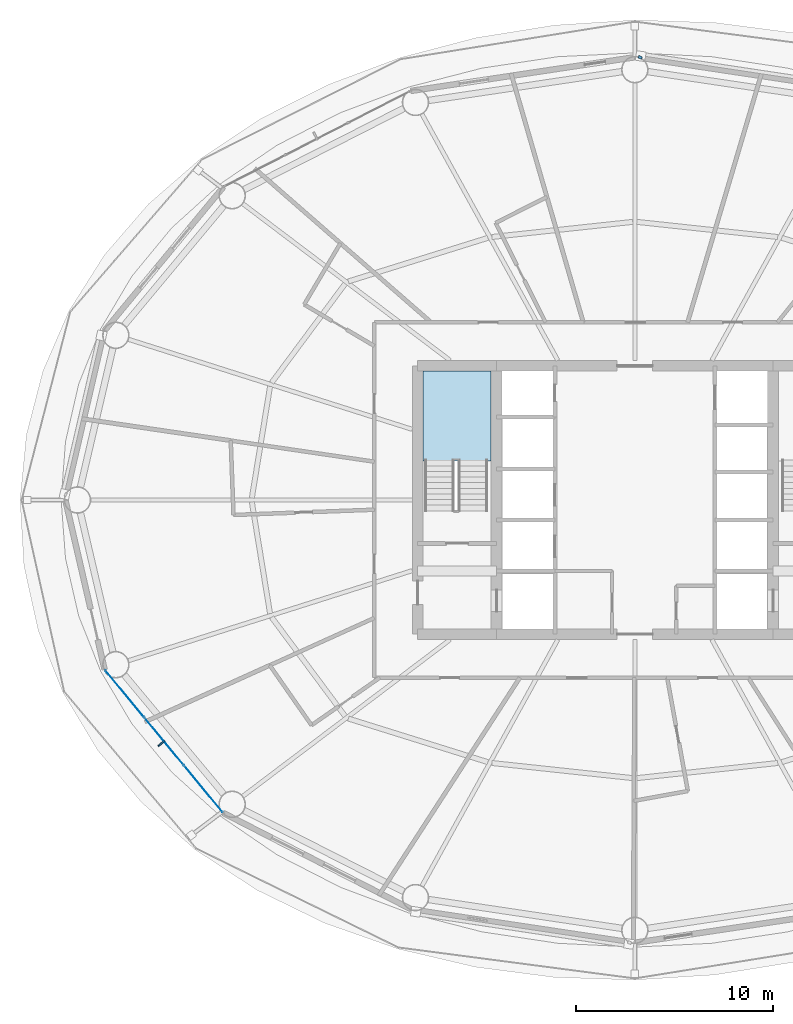
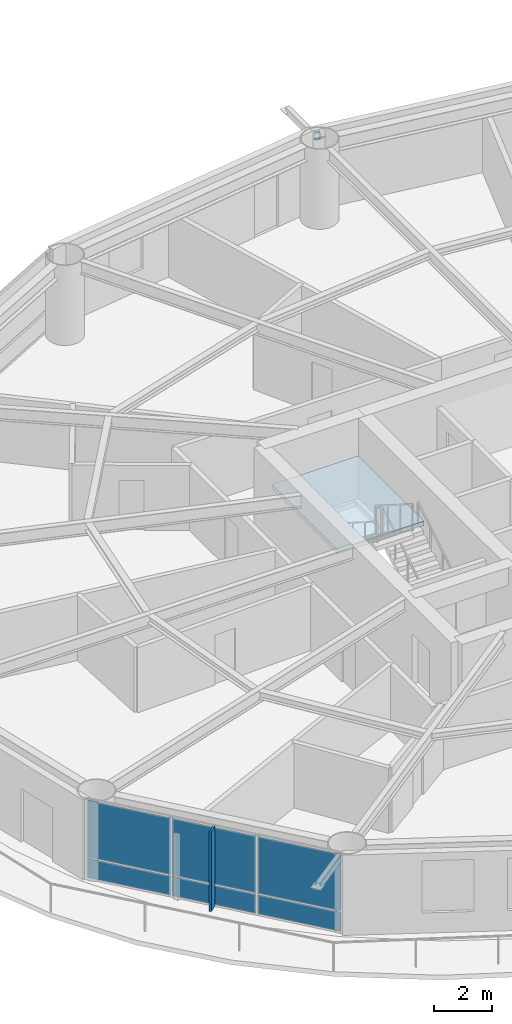
# One storey, part 14 of 24: 7 plates, 1 member, 1 slab, 2 elements without a shape of their own.
"""IFC4 building model written with IfcOpenShell, lengths in metres."""

from ifc_helpers import new_model, si_unit, direction, frame, origin, origin_2d, place, context, subcontext, project, spatial, polyline, rectangle, hollow_rectangle, outline, extrude, material, layer, layer_set, material_profile, profile_set, type_object, element, aggregate, save


model = new_model("IFC4")

# Units and contexts
model_context = context("Model", 3, precision=1e-05, world=origin(), true_north=direction((0.0, 1.0)))
body_context = subcontext(model_context, "Body", "Model", "MODEL_VIEW")
ifc_project = project(units=[si_unit("LENGTHUNIT", "METRE"), si_unit("AREAUNIT", "SQUARE_METRE"), si_unit("VOLUMEUNIT", "CUBIC_METRE"), si_unit("PLANEANGLEUNIT", "RADIAN"), si_unit("MASSUNIT", "GRAM", prefix="KILO")], contexts=[model_context])

# Site, building, storey
site_placement = place(None, origin())
site = spatial("IfcSite", under=ifc_project, at=site_placement, CompositionType="ELEMENT")
building_placement = place(site_placement, origin())
building = spatial("IfcBuilding", under=site, at=building_placement, Name="Sarneth Arch Tower", CompositionType="ELEMENT")
storey_placement = place(building_placement, frame((0.0, 0.0, 120.0)))
storey = spatial("IfcBuildingStorey", under=building, at=storey_placement, Name="L30", CompositionType="ELEMENT", Elevation=120.0)

# Member
ifc_material_1 = material(Name="Steel S355", Category="steel")
ifc_material_profile = material_profile(ifc_material_1, hollow_rectangle(XDim=0.199951171875, YDim=0.300048828125, WallThickness=0.012451171875, InnerFilletRadius=0.018798828125, OuterFilletRadius=0.03125, at=origin_2d()), Name="RHS300x200x12.5")
ifc_profile_set = profile_set([ifc_material_profile], Name="Steel S355")
member_type = type_object("IfcMemberType", Name="MEM-CANT-STRUT", PredefinedType="STRUT", material=ifc_profile_set)
member_placement = place(storey_placement, frame((48.2412109375, 64.357421875, 3.013427734375), z_axis=(0.397509148639, 0.917598210955, 0.0), x_axis=(-0.917598210955, 0.397509148639, 0.0)))
element("IfcMember", 1, at=member_placement, inside=storey, type_object=member_type, Name="L30 Exoskeleton brace node strut 04B", PredefinedType="STRUT", context=body_context, shape_type="SweptSolid", body=[
    extrude(hollow_rectangle(XDim=0.199951171875, YDim=0.300048828125, WallThickness=0.012451171875, InnerFilletRadius=0.018798828125, OuterFilletRadius=0.03125, at=origin_2d()), origin(), (0.0, 0.0, 1.0), 0.139404296875),
])

# Curtain wall, plates
ifc_material_2 = material(Name="Anodised aluminium Type AA25 and solar-control low-e laminated IGU", Category="aluminium")
ifc_layer_1 = layer(ifc_material_2, 0.159912109375)
ifc_layer_set_1 = layer_set([ifc_layer_1], Name="Anodised aluminium Type AA25 and solar-control low-e laminated IGU")
curtain_wall_type = type_object("IfcCurtainWallType", Name="CW-HOTEL-MID", PredefinedType="NOTDEFINED", material=ifc_layer_set_1)
curtain_wall_placement = place(storey_placement, origin())
curtain_wall = element("IfcCurtainWall", 2, at=curtain_wall_placement, inside=storey, type_object=curtain_wall_type, Name="L30 Unitised curtain wall facet 10", PredefinedType="NOTDEFINED")
ifc_material_3 = material(Name="Solar-control low-e laminated IGU", Category="glass")
ifc_layer_2 = layer(ifc_material_3, 0.028076171875)
ifc_layer_set_2 = layer_set([ifc_layer_2], Name="Solar-control low-e laminated IGU")
plate_type_1 = type_object("IfcPlateType", Name="CW-PANEL", PredefinedType="CURTAIN_PANEL", material=ifc_layer_set_2)
plate_1_placement = place(storey_placement, frame((22.15185546875, 32.192138671875, 0.06005859375), z_axis=(0.0, 0.0, 1.0), x_axis=(0.637515188684, -0.770437787363, 0.0)))
plate_1 = element("IfcPlate", 3, at=plate_1_placement, type_object=plate_type_1, Name="Curtain wall glazed vision pane CW-L30-F10/P00-00", PredefinedType="CURTAIN_PANEL", context=body_context, shape_type="SweptSolid", body=[
    extrude(rectangle(XDim=3.058349609375, YDim=0.028076171875, at=origin_2d()), origin(), (0.0, 0.0, 1.0), 0.81005859375),
])
plate_2_placement = place(storey_placement, frame((22.15185546875, 32.192138671875, 0.93017578125), z_axis=(0.0, 0.0, 1.0), x_axis=(0.637515188684, -0.770437787363, 0.0)))
plate_2 = element("IfcPlate", 4, at=plate_2_placement, type_object=plate_type_1, Name="Curtain wall glazed vision pane CW-L30-F10/P00-01", PredefinedType="CURTAIN_PANEL", context=body_context, shape_type="SweptSolid", body=[
    extrude(rectangle(XDim=3.058349609375, YDim=0.028076171875, at=origin_2d()), origin(), (0.0, 0.0, 1.0), 2.389892578125),
])
plate_3_placement = place(storey_placement, frame((24.1494140625, 29.778076171875, 0.06005859375), z_axis=(0.0, 0.0, 1.0), x_axis=(0.637515188684, -0.770437787363, 0.0)))
plate_3 = element("IfcPlate", 5, at=plate_3_placement, type_object=plate_type_1, Name="Curtain wall glazed vision pane CW-L30-F10/P01-00", PredefinedType="CURTAIN_PANEL", context=body_context, shape_type="SweptSolid", body=[
    extrude(rectangle(XDim=3.08837890625, YDim=0.028076171875, at=origin_2d()), origin(), (0.0, 0.0, 1.0), 0.81005859375),
])
plate_4_placement = place(storey_placement, frame((24.1494140625, 29.778076171875, 0.93017578125), z_axis=(0.0, 0.0, 1.0), x_axis=(0.637515188684, -0.770437787363, 0.0)))
plate_4 = element("IfcPlate", 6, at=plate_4_placement, type_object=plate_type_1, Name="Curtain wall glazed vision pane CW-L30-F10/P01-01", PredefinedType="CURTAIN_PANEL", context=body_context, shape_type="SweptSolid", body=[
    extrude(rectangle(XDim=3.08837890625, YDim=0.028076171875, at=origin_2d()), origin(), (0.0, 0.0, 1.0), 2.389892578125),
])
plate_5_placement = place(storey_placement, frame((26.14697265625, 27.364013671875, 0.06005859375), z_axis=(0.0, 0.0, 1.0), x_axis=(0.637515188684, -0.770437787363, 0.0)))
plate_5 = element("IfcPlate", 7, at=plate_5_placement, type_object=plate_type_1, Name="Curtain wall glazed vision pane CW-L30-F10/P02-00", PredefinedType="CURTAIN_PANEL", context=body_context, shape_type="SweptSolid", body=[
    extrude(rectangle(XDim=3.058349609375, YDim=0.028076171875, at=origin_2d()), origin(), (0.0, 0.0, 1.0), 0.81005859375),
])
plate_6_placement = place(storey_placement, frame((26.14697265625, 27.364013671875, 0.93017578125), z_axis=(0.0, 0.0, 1.0), x_axis=(0.637515188684, -0.770437787363, 0.0)))
plate_6 = element("IfcPlate", 8, at=plate_6_placement, type_object=plate_type_1, Name="Curtain wall glazed vision pane CW-L30-F10/P02-01", PredefinedType="CURTAIN_PANEL", context=body_context, shape_type="SweptSolid", body=[
    extrude(rectangle(XDim=3.058349609375, YDim=0.028076171875, at=origin_2d()), origin(), (0.0, 0.0, 1.0), 2.389892578125),
])
aggregate(curtain_wall, [plate_1, plate_2, plate_3, plate_4, plate_5, plate_6])

# Plate
ifc_material_4 = material(Name="Extruded glazed terracotta baguette fin on Aluminium 6063-T6 carrier", Category="masonry")
ifc_layer_3 = layer(ifc_material_4, 0.080078125)
ifc_layer_set_3 = layer_set([ifc_layer_3], Name="Extruded glazed terracotta baguette fin on Aluminium 6063-T6 carrier")
plate_type_2 = type_object("IfcPlateType", Name="SHADE-TERRA-FIN", PredefinedType="SHEET", material=ifc_layer_set_3)
plate_7_placement = place(storey_placement, frame((24.018310546875, 29.669677734375, 0.009765625), z_axis=(0.0, 0.0, 1.0), x_axis=(-0.770401979567, -0.63755845997, 0.0)))
element("IfcPlate", 9, at=plate_7_placement, inside=storey, type_object=plate_type_2, Name="L30 Terracotta vertical shading fin 10", PredefinedType="SHEET", context=body_context, shape_type="SweptSolid", body=[
    extrude(rectangle(XDim=0.419921875, YDim=0.080078125, at=origin_2d()), origin(), (0.0, 0.0, 1.0), 3.360107421875),
])

# Stair, slab
ifc_material_5 = material(Name="Concrete C50/60", Category="concrete")
stair_type = type_object("IfcStairType", Name="STAIR-CORE-RC", PredefinedType="HALF_TURN_STAIR", material=ifc_material_5)
stair_placement = place(storey_placement, origin())
stair = element("IfcStair", 10, at=stair_placement, inside=storey, type_object=stair_type, Name="L30 Core Exit Stair 1", PredefinedType="HALF_TURN_STAIR")
ifc_material_6 = material(Name="Concrete C50/60", Category="concrete")
ifc_layer_4 = layer(ifc_material_6, 0.199951171875)
ifc_layer_set_4 = layer_set([ifc_layer_4], Name="Concrete C50/60")
slab_type = type_object("IfcSlabType", Name="SLAB-LANDING-200", PredefinedType="LANDING", material=ifc_layer_set_4)
slab_placement = place(storey_placement, frame((0.0, 0.0, 1.60009765625)))
slab = element("IfcSlab", 11, at=slab_placement, type_object=slab_type, Name="ST-1 landing 1", PredefinedType="LANDING", context=body_context, shape_type="SweptSolid", body=[
    extrude(outline(polyline([(37.27490234375, 43.985107421875), (40.72509765625, 43.985107421875), (40.72509765625, 48.52490234375), (37.27490234375, 48.52490234375), (37.27490234375, 43.985107421875)])), origin(), (0.0, 0.0, 1.0), 0.199951171875),
])
aggregate(stair, [slab])

save(model, "model.ifc")
